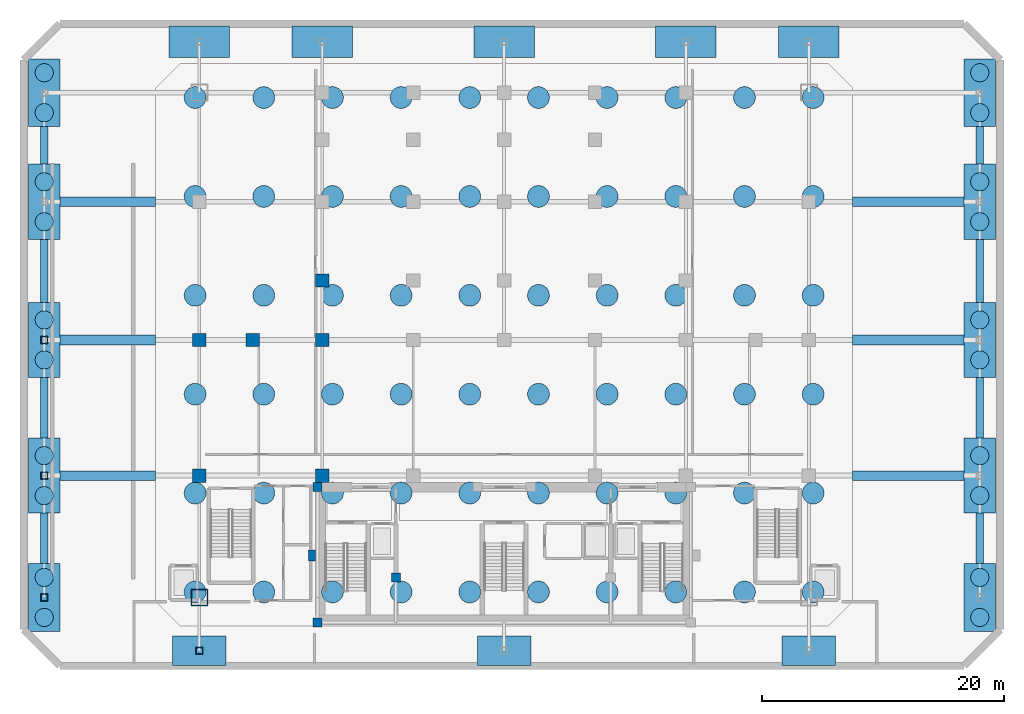
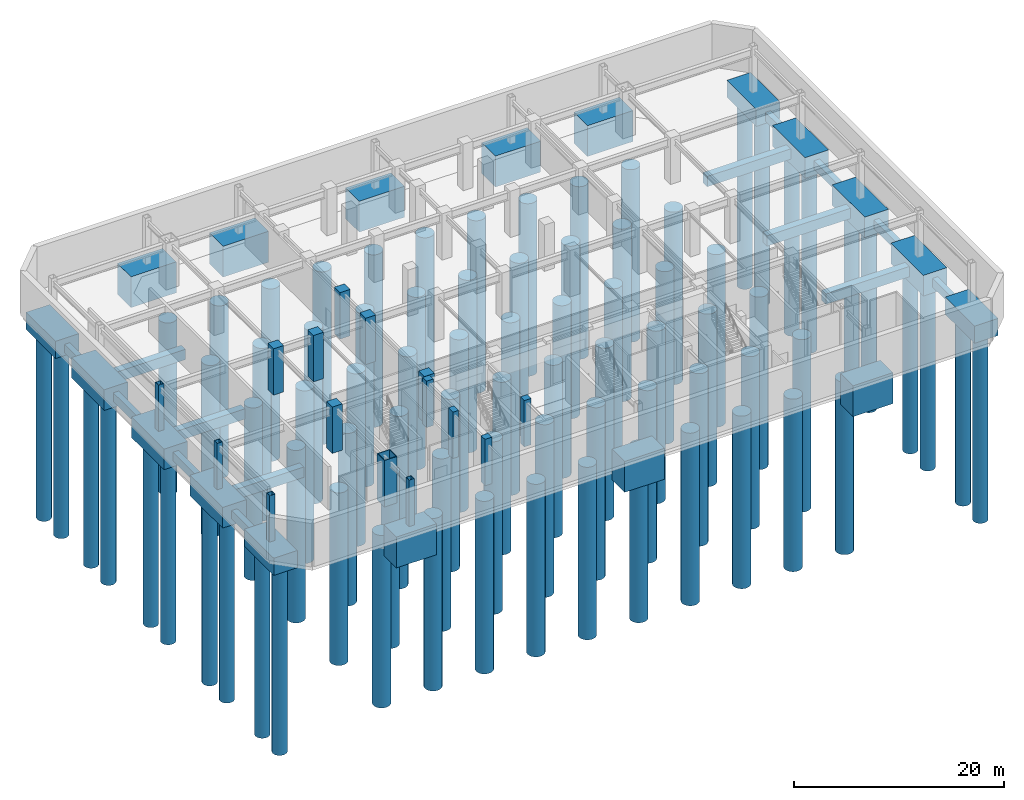
# One storey, part 1 of 10: 80 piles, 32 footings, 15 columns.
"""IFC4 building model written with IfcOpenShell, lengths in metres."""

from ifc_helpers import new_model, si_unit, direction, frame, origin, origin_2d, place, context, subcontext, project, spatial, polyline, rectangle, hollow_rectangle, circle, outline, extrude, material, material_profile, profile_set, type_object, element, save


model = new_model("IFC4")

# Units and contexts
model_context = context("Model", 3, precision=1e-05, world=origin(), true_north=direction((0.0, 1.0)))
body_context = subcontext(model_context, "Body", "Model", "MODEL_VIEW")
ifc_project = project(units=[si_unit("LENGTHUNIT", "METRE"), si_unit("AREAUNIT", "SQUARE_METRE"), si_unit("VOLUMEUNIT", "CUBIC_METRE"), si_unit("PLANEANGLEUNIT", "RADIAN"), si_unit("MASSUNIT", "GRAM", prefix="KILO")], contexts=[model_context])

# Site, building, storey
site_placement = place(None, origin())
site = spatial("IfcSite", under=ifc_project, at=site_placement, CompositionType="ELEMENT")
building_placement = place(site_placement, origin())
building = spatial("IfcBuilding", under=site, at=building_placement, Name="Ventersveld Concourse Tower", CompositionType="ELEMENT")
storey_placement = place(building_placement, frame((0.0, 0.0, -10.800048828125)))
storey = spatial("IfcBuildingStorey", under=building, at=storey_placement, Name="B02", CompositionType="ELEMENT", Elevation=-10.800048828125)

# Footings
ifc_material_1 = material(Name="Concrete C50/60", Category="concrete")
footing_type_1 = type_object("IfcFootingType", Name="FT-CAIS-4400x2600", PredefinedType="CAISSON_FOUNDATION", material=ifc_material_1)
footing_1_placement = place(storey_placement, frame((0.0, 0.0, -3.599853515625)))
element("IfcFooting", 1, at=footing_1_placement, inside=storey, type_object=footing_type_1, Name="Station track caisson foundation CFN-S1", PredefinedType="CAISSON_FOUNDATION", context=body_context, shape_type="SweptSolid", body=[
    extrude(outline(polyline([(1.39990234375, -3.25), (5.800048828125, -3.25), (5.800048828125, -0.85009765625), (1.39990234375, -0.85009765625), (1.39990234375, -3.25)])), origin(), (0.0, 0.0, 1.0), 3.599853515625),
])
footing_2_placement = place(storey_placement, frame((0.0, 0.0, -3.599853515625)))
element("IfcFooting", 2, at=footing_2_placement, inside=storey, type_object=footing_type_1, Name="Station track caisson foundation CFN-S2", PredefinedType="CAISSON_FOUNDATION", context=body_context, shape_type="SweptSolid", body=[
    extrude(outline(polyline([(26.550048828125, -3.25), (30.949951171875, -3.25), (30.949951171875, -0.85009765625), (26.550048828125, -0.85009765625), (26.550048828125, -3.25)])), origin(), (0.0, 0.0, 1.0), 3.599853515625),
])
footing_3_placement = place(storey_placement, frame((0.0, 0.0, -3.599853515625)))
element("IfcFooting", 3, at=footing_3_placement, inside=storey, type_object=footing_type_1, Name="Station track caisson foundation CFN-S3", PredefinedType="CAISSON_FOUNDATION", context=body_context, shape_type="SweptSolid", body=[
    extrude(outline(polyline([(51.699951171875, -3.25), (56.10009765625, -3.25), (56.10009765625, -0.85009765625), (51.699951171875, -0.85009765625), (51.699951171875, -3.25)])), origin(), (0.0, 0.0, 1.0), 3.599853515625),
])
footing_type_2 = type_object("IfcFootingType", Name="FT-CAIS-5000x2800", PredefinedType="CAISSON_FOUNDATION", material=ifc_material_1)
footing_4_placement = place(storey_placement, frame((0.0, 0.0, -3.599853515625)))
element("IfcFooting", 4, at=footing_4_placement, inside=storey, type_object=footing_type_2, Name="Station track caisson foundation CFN-N1", PredefinedType="CAISSON_FOUNDATION", context=body_context, shape_type="SweptSolid", body=[
    extrude(outline(polyline([(1.10009765625, 46.89990234375), (6.10009765625, 46.89990234375), (6.10009765625, 49.5), (1.10009765625, 49.5), (1.10009765625, 46.89990234375)])), origin(), (0.0, 0.0, 1.0), 3.599853515625),
])
footing_5_placement = place(storey_placement, frame((0.0, 0.0, -3.599853515625)))
element("IfcFooting", 5, at=footing_5_placement, inside=storey, type_object=footing_type_2, Name="Station track caisson foundation CFN-N2", PredefinedType="CAISSON_FOUNDATION", context=body_context, shape_type="SweptSolid", body=[
    extrude(outline(polyline([(11.25, 46.89990234375), (16.25, 46.89990234375), (16.25, 49.5), (11.25, 49.5), (11.25, 46.89990234375)])), origin(), (0.0, 0.0, 1.0), 3.599853515625),
])
footing_6_placement = place(storey_placement, frame((0.0, 0.0, -3.599853515625)))
element("IfcFooting", 6, at=footing_6_placement, inside=storey, type_object=footing_type_2, Name="Station track caisson foundation CFN-N3", PredefinedType="CAISSON_FOUNDATION", context=body_context, shape_type="SweptSolid", body=[
    extrude(outline(polyline([(26.25, 46.89990234375), (31.25, 46.89990234375), (31.25, 49.5), (26.25, 49.5), (26.25, 46.89990234375)])), origin(), (0.0, 0.0, 1.0), 3.599853515625),
])
footing_7_placement = place(storey_placement, frame((0.0, 0.0, -3.599853515625)))
element("IfcFooting", 7, at=footing_7_placement, inside=storey, type_object=footing_type_2, Name="Station track caisson foundation CFN-N4", PredefinedType="CAISSON_FOUNDATION", context=body_context, shape_type="SweptSolid", body=[
    extrude(outline(polyline([(41.25, 46.89990234375), (46.25, 46.89990234375), (46.25, 49.5), (41.25, 49.5), (41.25, 46.89990234375)])), origin(), (0.0, 0.0, 1.0), 3.599853515625),
])
footing_8_placement = place(storey_placement, frame((0.0, 0.0, -3.599853515625)))
element("IfcFooting", 8, at=footing_8_placement, inside=storey, type_object=footing_type_2, Name="Station track caisson foundation CFN-N5", PredefinedType="CAISSON_FOUNDATION", context=body_context, shape_type="SweptSolid", body=[
    extrude(outline(polyline([(51.39990234375, 46.89990234375), (56.39990234375, 46.89990234375), (56.39990234375, 49.5), (51.39990234375, 49.5), (51.39990234375, 46.89990234375)])), origin(), (0.0, 0.0, 1.0), 3.599853515625),
])
ifc_material_profile_1 = material_profile(ifc_material_1, rectangle(XDim=0.60009765625, YDim=1.0, at=origin_2d()), Name="GB 600x1000")
ifc_profile_set_1 = profile_set([ifc_material_profile_1], Name="Concrete C50/60")
footing_type_3 = type_object("IfcFootingType", Name="FT-GB-600x1000", PredefinedType="FOOTING_BEAM", material=ifc_profile_set_1)
footing_9_placement = place(storey_placement, frame((-9.199951171875, 5.14990234375, -1.199951171875), z_axis=(0.0, 1.0, 0.0), x_axis=(-1.0, 0.0, 0.0)))
element("IfcFooting", 9, at=footing_9_placement, inside=storey, type_object=footing_type_3, Name="Foundation tie beam FB-01", PredefinedType="FOOTING_BEAM", context=body_context, shape_type="SweptSolid", body=[
    extrude(rectangle(XDim=0.60009765625, YDim=1.0, at=origin_2d()), origin(), (0.0, 0.0, 1.0), 4.150146484375),
])
footing_10_placement = place(storey_placement, frame((-9.199951171875, 15.5, -1.199951171875), z_axis=(0.0, 1.0, 0.0), x_axis=(-1.0, 0.0, 0.0)))
element("IfcFooting", 10, at=footing_10_placement, inside=storey, type_object=footing_type_3, Name="Foundation tie beam FB-02", PredefinedType="FOOTING_BEAM", context=body_context, shape_type="SweptSolid", body=[
    extrude(rectangle(XDim=0.60009765625, YDim=1.0, at=origin_2d()), origin(), (0.0, 0.0, 1.0), 5.0),
])
footing_11_placement = place(storey_placement, frame((-9.199951171875, 26.699951171875, -1.199951171875), z_axis=(0.0, 1.0, 0.0), x_axis=(-1.0, 0.0, 0.0)))
element("IfcFooting", 11, at=footing_11_placement, inside=storey, type_object=footing_type_3, Name="Foundation tie beam FB-03", PredefinedType="FOOTING_BEAM", context=body_context, shape_type="SweptSolid", body=[
    extrude(rectangle(XDim=0.60009765625, YDim=1.0, at=origin_2d()), origin(), (0.0, 0.0, 1.0), 5.199951171875),
])
footing_12_placement = place(storey_placement, frame((-9.199951171875, 38.10009765625, -1.199951171875), z_axis=(0.0, 1.0, 0.0), x_axis=(-1.0, 0.0, 0.0)))
element("IfcFooting", 12, at=footing_12_placement, inside=storey, type_object=footing_type_3, Name="Foundation tie beam FB-04", PredefinedType="FOOTING_BEAM", context=body_context, shape_type="SweptSolid", body=[
    extrude(rectangle(XDim=0.60009765625, YDim=1.0, at=origin_2d()), origin(), (0.0, 0.0, 1.0), 3.099853515625),
])
footing_13_placement = place(storey_placement, frame((68.0, 5.14990234375, -1.199951171875), z_axis=(0.0, 1.0, 0.0), x_axis=(-1.0, 0.0, 0.0)))
element("IfcFooting", 13, at=footing_13_placement, inside=storey, type_object=footing_type_3, Name="Foundation tie beam FB-08", PredefinedType="FOOTING_BEAM", context=body_context, shape_type="SweptSolid", body=[
    extrude(rectangle(XDim=0.60009765625, YDim=1.0, at=origin_2d()), origin(), (0.0, 0.0, 1.0), 4.150146484375),
])
footing_14_placement = place(storey_placement, frame((68.0, 15.5, -1.199951171875), z_axis=(0.0, 1.0, 0.0), x_axis=(-1.0, 0.0, 0.0)))
element("IfcFooting", 14, at=footing_14_placement, inside=storey, type_object=footing_type_3, Name="Foundation tie beam FB-09", PredefinedType="FOOTING_BEAM", context=body_context, shape_type="SweptSolid", body=[
    extrude(rectangle(XDim=0.60009765625, YDim=1.0, at=origin_2d()), origin(), (0.0, 0.0, 1.0), 5.0),
])
footing_15_placement = place(storey_placement, frame((68.0, 26.699951171875, -1.199951171875), z_axis=(0.0, 1.0, 0.0), x_axis=(-1.0, 0.0, 0.0)))
element("IfcFooting", 15, at=footing_15_placement, inside=storey, type_object=footing_type_3, Name="Foundation tie beam FB-10", PredefinedType="FOOTING_BEAM", context=body_context, shape_type="SweptSolid", body=[
    extrude(rectangle(XDim=0.60009765625, YDim=1.0, at=origin_2d()), origin(), (0.0, 0.0, 1.0), 5.199951171875),
])
footing_16_placement = place(storey_placement, frame((68.0, 38.10009765625, -1.199951171875), z_axis=(0.0, 1.0, 0.0), x_axis=(-1.0, 0.0, 0.0)))
element("IfcFooting", 16, at=footing_16_placement, inside=storey, type_object=footing_type_3, Name="Foundation tie beam FB-11", PredefinedType="FOOTING_BEAM", context=body_context, shape_type="SweptSolid", body=[
    extrude(rectangle(XDim=0.60009765625, YDim=1.0, at=origin_2d()), origin(), (0.0, 0.0, 1.0), 3.099853515625),
])
ifc_material_profile_2 = material_profile(ifc_material_1, rectangle(XDim=0.800048828125, YDim=1.199951171875, at=origin_2d()), Name="GB 800x1200")
ifc_profile_set_2 = profile_set([ifc_material_profile_2], Name="Concrete C50/60")
footing_type_4 = type_object("IfcFootingType", Name="FT-GB-800x1200", PredefinedType="FOOTING_BEAM", material=ifc_profile_set_2)
for number, where, z_axis, x_axis, name in (
    (17, (-7.89990234375, 12.39990234375, -1.199951171875), (1.0, 0.0, 0.0), (0.0, 1.0, 0.0), "Foundation tie beam FB-05"),
    (18, (-7.89990234375, 23.60009765625, -1.199951171875), (1.0, 0.0, 0.0), (0.0, 1.0, 0.0), "Foundation tie beam FB-06"),
    (19, (-7.89990234375, 35.0, -1.199951171875), (1.0, 0.0, 0.0), (0.0, 1.0, 0.0), "Foundation tie beam FB-07"),
):
    element("IfcFooting", number, at=place(storey_placement, frame(where, z_axis=z_axis, x_axis=x_axis)), inside=storey, type_object=footing_type_4, Name=name, PredefinedType="FOOTING_BEAM", context=body_context, shape_type="SweptSolid", body=[
        extrude(rectangle(XDim=0.800048828125, YDim=1.199951171875, at=origin_2d()), origin(), (0.0, 0.0, 1.0), 7.89990234375),
    ])
for number, where, z_axis, x_axis, name in (
    (20, (57.5, 12.39990234375, -1.199951171875), (1.0, 0.0, 0.0), (0.0, 1.0, 0.0), "Foundation tie beam FB-12"),
    (21, (57.5, 23.60009765625, -1.199951171875), (1.0, 0.0, 0.0), (0.0, 1.0, 0.0), "Foundation tie beam FB-13"),
    (22, (57.5, 35.0, -1.199951171875), (1.0, 0.0, 0.0), (0.0, 1.0, 0.0), "Foundation tie beam FB-14"),
):
    element("IfcFooting", number, at=place(storey_placement, frame(where, z_axis=z_axis, x_axis=x_axis)), inside=storey, type_object=footing_type_4, Name=name, PredefinedType="FOOTING_BEAM", context=body_context, shape_type="SweptSolid", body=[
        extrude(rectangle(XDim=0.800048828125, YDim=1.199951171875, at=origin_2d()), origin(), (0.0, 0.0, 1.0), 9.199951171875),
    ])
footing_type_5 = type_object("IfcFootingType", Name="FT-PC-5600x2600", PredefinedType="PILE_CAP", material=ifc_material_1)
footing_17_placement = place(storey_placement, frame((0.0, 0.0, -2.0)))
element("IfcFooting", 23, at=footing_17_placement, inside=storey, type_object=footing_type_5, Name="Podium pile cap PC-W1", PredefinedType="PILE_CAP", context=body_context, shape_type="SweptSolid", body=[
    extrude(outline(polyline([(-10.5, -0.449951171875), (-7.89990234375, -0.449951171875), (-7.89990234375, 5.14990234375), (-10.5, 5.14990234375), (-10.5, -0.449951171875)])), origin(), (0.0, 0.0, 1.0), 2.0),
])
footing_18_placement = place(storey_placement, frame((0.0, 0.0, -2.0)))
element("IfcFooting", 24, at=footing_18_placement, inside=storey, type_object=footing_type_5, Name="Podium pile cap PC-W5", PredefinedType="PILE_CAP", context=body_context, shape_type="SweptSolid", body=[
    extrude(outline(polyline([(-10.5, 41.199951171875), (-7.89990234375, 41.199951171875), (-7.89990234375, 46.800048828125), (-10.5, 46.800048828125), (-10.5, 41.199951171875)])), origin(), (0.0, 0.0, 1.0), 2.0),
])
footing_19_placement = place(storey_placement, frame((0.0, 0.0, -2.0)))
element("IfcFooting", 25, at=footing_19_placement, inside=storey, type_object=footing_type_5, Name="Podium pile cap PC-E1", PredefinedType="PILE_CAP", context=body_context, shape_type="SweptSolid", body=[
    extrude(outline(polyline([(66.699951171875, -0.449951171875), (69.300048828125, -0.449951171875), (69.300048828125, 5.14990234375), (66.699951171875, 5.14990234375), (66.699951171875, -0.449951171875)])), origin(), (0.0, 0.0, 1.0), 2.0),
])
footing_20_placement = place(storey_placement, frame((0.0, 0.0, -2.0)))
element("IfcFooting", 26, at=footing_20_placement, inside=storey, type_object=footing_type_5, Name="Podium pile cap PC-E5", PredefinedType="PILE_CAP", context=body_context, shape_type="SweptSolid", body=[
    extrude(outline(polyline([(66.699951171875, 41.199951171875), (69.300048828125, 41.199951171875), (69.300048828125, 46.800048828125), (66.699951171875, 46.800048828125), (66.699951171875, 41.199951171875)])), origin(), (0.0, 0.0, 1.0), 2.0),
])
footing_type_6 = type_object("IfcFootingType", Name="FT-PC-6200x2600", PredefinedType="PILE_CAP", material=ifc_material_1)
footing_21_placement = place(storey_placement, frame((0.0, 0.0, -2.39990234375)))
element("IfcFooting", 27, at=footing_21_placement, inside=storey, type_object=footing_type_6, Name="Podium pile cap PC-W2", PredefinedType="PILE_CAP", context=body_context, shape_type="SweptSolid", body=[
    extrude(outline(polyline([(-10.5, 9.300048828125), (-7.89990234375, 9.300048828125), (-7.89990234375, 15.5), (-10.5, 15.5), (-10.5, 9.300048828125)])), origin(), (0.0, 0.0, 1.0), 2.39990234375),
])
footing_22_placement = place(storey_placement, frame((0.0, 0.0, -2.39990234375)))
element("IfcFooting", 28, at=footing_22_placement, inside=storey, type_object=footing_type_6, Name="Podium pile cap PC-W3", PredefinedType="PILE_CAP", context=body_context, shape_type="SweptSolid", body=[
    extrude(outline(polyline([(-10.5, 20.5), (-7.89990234375, 20.5), (-7.89990234375, 26.699951171875), (-10.5, 26.699951171875), (-10.5, 20.5)])), origin(), (0.0, 0.0, 1.0), 2.39990234375),
])
footing_23_placement = place(storey_placement, frame((0.0, 0.0, -2.39990234375)))
element("IfcFooting", 29, at=footing_23_placement, inside=storey, type_object=footing_type_6, Name="Podium pile cap PC-W4", PredefinedType="PILE_CAP", context=body_context, shape_type="SweptSolid", body=[
    extrude(outline(polyline([(-10.5, 31.89990234375), (-7.89990234375, 31.89990234375), (-7.89990234375, 38.10009765625), (-10.5, 38.10009765625), (-10.5, 31.89990234375)])), origin(), (0.0, 0.0, 1.0), 2.39990234375),
])
footing_24_placement = place(storey_placement, frame((0.0, 0.0, -2.39990234375)))
element("IfcFooting", 30, at=footing_24_placement, inside=storey, type_object=footing_type_6, Name="Podium pile cap PC-E2", PredefinedType="PILE_CAP", context=body_context, shape_type="SweptSolid", body=[
    extrude(outline(polyline([(66.699951171875, 9.300048828125), (69.300048828125, 9.300048828125), (69.300048828125, 15.5), (66.699951171875, 15.5), (66.699951171875, 9.300048828125)])), origin(), (0.0, 0.0, 1.0), 2.39990234375),
])
footing_25_placement = place(storey_placement, frame((0.0, 0.0, -2.39990234375)))
element("IfcFooting", 31, at=footing_25_placement, inside=storey, type_object=footing_type_6, Name="Podium pile cap PC-E3", PredefinedType="PILE_CAP", context=body_context, shape_type="SweptSolid", body=[
    extrude(outline(polyline([(66.699951171875, 20.5), (69.300048828125, 20.5), (69.300048828125, 26.699951171875), (66.699951171875, 26.699951171875), (66.699951171875, 20.5)])), origin(), (0.0, 0.0, 1.0), 2.39990234375),
])
footing_26_placement = place(storey_placement, frame((0.0, 0.0, -2.39990234375)))
element("IfcFooting", 32, at=footing_26_placement, inside=storey, type_object=footing_type_6, Name="Podium pile cap PC-E4", PredefinedType="PILE_CAP", context=body_context, shape_type="SweptSolid", body=[
    extrude(outline(polyline([(66.699951171875, 31.89990234375), (69.300048828125, 31.89990234375), (69.300048828125, 38.10009765625), (66.699951171875, 38.10009765625), (66.699951171875, 31.89990234375)])), origin(), (0.0, 0.0, 1.0), 2.39990234375),
])

# Piles
ifc_material_profile_3 = material_profile(ifc_material_1, circle(Radius=0.75, at=origin_2d()), Name="PILE D1500")
ifc_profile_set_3 = profile_set([ifc_material_profile_3], Name="Concrete C50/60")
pile_type_1 = type_object("IfcPileType", Name="PILE-D1500", PredefinedType="BORED", material=ifc_profile_set_3)
for number, where, z_axis, x_axis, name in (
    (33, (-9.199951171875, 0.699951171875, -1.89990234375), (0.0, 0.0, -1.0), (1.0, 0.0, 0.0), "Podium bored pile P2-001"),
    (34, (-9.199951171875, 4.0, -1.89990234375), (0.0, 0.0, -1.0), (1.0, 0.0, 0.0), "Podium bored pile P2-002"),
):
    element("IfcPile", number, at=place(storey_placement, frame(where, z_axis=z_axis, x_axis=x_axis)), inside=storey, type_object=pile_type_1, Name=name, PredefinedType="BORED", context=body_context, shape_type="SweptSolid", body=[
        extrude(circle(Radius=0.75, at=origin_2d()), origin(), (0.0, 0.0, 1.0), 21.699951171875),
    ])
for number, where, z_axis, x_axis, name in (
    (35, (-9.199951171875, 10.75, -2.300048828125), (0.0, 0.0, -1.0), (1.0, 0.0, 0.0), "Podium bored pile P2-003"),
    (36, (-9.199951171875, 14.050048828125, -2.300048828125), (0.0, 0.0, -1.0), (1.0, 0.0, 0.0), "Podium bored pile P2-004"),
    (37, (-9.199951171875, 21.949951171875, -2.300048828125), (0.0, 0.0, -1.0), (1.0, 0.0, 0.0), "Podium bored pile P2-005"),
    (38, (-9.199951171875, 25.25, -2.300048828125), (0.0, 0.0, -1.0), (1.0, 0.0, 0.0), "Podium bored pile P2-006"),
    (39, (-9.199951171875, 33.35009765625, -2.300048828125), (0.0, 0.0, -1.0), (1.0, 0.0, 0.0), "Podium bored pile P2-007"),
    (40, (-9.199951171875, 36.64990234375, -2.300048828125), (0.0, 0.0, -1.0), (1.0, 0.0, 0.0), "Podium bored pile P2-008"),
):
    element("IfcPile", number, at=place(storey_placement, frame(where, z_axis=z_axis, x_axis=x_axis)), inside=storey, type_object=pile_type_1, Name=name, PredefinedType="BORED", context=body_context, shape_type="SweptSolid", body=[
        extrude(circle(Radius=0.75, at=origin_2d()), origin(), (0.0, 0.0, 1.0), 21.300048828125),
    ])
for number, where, z_axis, x_axis, name in (
    (41, (-9.199951171875, 42.35009765625, -1.89990234375), (0.0, 0.0, -1.0), (1.0, 0.0, 0.0), "Podium bored pile P2-009"),
    (42, (-9.199951171875, 45.64990234375, -1.89990234375), (0.0, 0.0, -1.0), (1.0, 0.0, 0.0), "Podium bored pile P2-010"),
    (43, (68.0, 0.699951171875, -1.89990234375), (0.0, 0.0, -1.0), (1.0, 0.0, 0.0), "Podium bored pile P2-011"),
    (44, (68.0, 4.0, -1.89990234375), (0.0, 0.0, -1.0), (1.0, 0.0, 0.0), "Podium bored pile P2-012"),
):
    element("IfcPile", number, at=place(storey_placement, frame(where, z_axis=z_axis, x_axis=x_axis)), inside=storey, type_object=pile_type_1, Name=name, PredefinedType="BORED", context=body_context, shape_type="SweptSolid", body=[
        extrude(circle(Radius=0.75, at=origin_2d()), origin(), (0.0, 0.0, 1.0), 21.699951171875),
    ])
for number, where, z_axis, x_axis, name in (
    (45, (68.0, 10.75, -2.300048828125), (0.0, 0.0, -1.0), (1.0, 0.0, 0.0), "Podium bored pile P2-013"),
    (46, (68.0, 14.050048828125, -2.300048828125), (0.0, 0.0, -1.0), (1.0, 0.0, 0.0), "Podium bored pile P2-014"),
    (47, (68.0, 21.949951171875, -2.300048828125), (0.0, 0.0, -1.0), (1.0, 0.0, 0.0), "Podium bored pile P2-015"),
    (48, (68.0, 25.25, -2.300048828125), (0.0, 0.0, -1.0), (1.0, 0.0, 0.0), "Podium bored pile P2-016"),
    (49, (68.0, 33.35009765625, -2.300048828125), (0.0, 0.0, -1.0), (1.0, 0.0, 0.0), "Podium bored pile P2-017"),
    (50, (68.0, 36.64990234375, -2.300048828125), (0.0, 0.0, -1.0), (1.0, 0.0, 0.0), "Podium bored pile P2-018"),
):
    element("IfcPile", number, at=place(storey_placement, frame(where, z_axis=z_axis, x_axis=x_axis)), inside=storey, type_object=pile_type_1, Name=name, PredefinedType="BORED", context=body_context, shape_type="SweptSolid", body=[
        extrude(circle(Radius=0.75, at=origin_2d()), origin(), (0.0, 0.0, 1.0), 21.300048828125),
    ])
for number, where, z_axis, x_axis, name in (
    (51, (68.0, 42.35009765625, -1.89990234375), (0.0, 0.0, -1.0), (1.0, 0.0, 0.0), "Podium bored pile P2-019"),
    (52, (68.0, 45.64990234375, -1.89990234375), (0.0, 0.0, -1.0), (1.0, 0.0, 0.0), "Podium bored pile P2-020"),
):
    element("IfcPile", number, at=place(storey_placement, frame(where, z_axis=z_axis, x_axis=x_axis)), inside=storey, type_object=pile_type_1, Name=name, PredefinedType="BORED", context=body_context, shape_type="SweptSolid", body=[
        extrude(circle(Radius=0.75, at=origin_2d()), origin(), (0.0, 0.0, 1.0), 21.699951171875),
    ])
ifc_material_profile_4 = material_profile(ifc_material_1, circle(Radius=0.89990234375, at=origin_2d()), Name="PILE D1800")
ifc_profile_set_4 = profile_set([ifc_material_profile_4], Name="Concrete C50/60")
pile_type_2 = type_object("IfcPileType", Name="PILE-D1800", PredefinedType="BORED", material=ifc_profile_set_4)
for number, where, z_axis, x_axis, name in (
    (53, (3.25, 2.800048828125, -3.5), (0.0, 0.0, -1.0), (1.0, 0.0, 0.0), "Rock-socketed bored pile P1-001"),
    (54, (8.916748046875, 2.800048828125, -3.5), (0.0, 0.0, -1.0), (1.0, 0.0, 0.0), "Rock-socketed bored pile P1-002"),
    (55, (14.58349609375, 2.800048828125, -3.5), (0.0, 0.0, -1.0), (1.0, 0.0, 0.0), "Rock-socketed bored pile P1-003"),
    (56, (20.25, 2.800048828125, -3.5), (0.0, 0.0, -1.0), (1.0, 0.0, 0.0), "Rock-socketed bored pile P1-004"),
    (57, (25.916748046875, 2.800048828125, -3.5), (0.0, 0.0, -1.0), (1.0, 0.0, 0.0), "Rock-socketed bored pile P1-005"),
    (58, (31.58349609375, 2.800048828125, -3.5), (0.0, 0.0, -1.0), (1.0, 0.0, 0.0), "Rock-socketed bored pile P1-006"),
    (59, (37.250244140625, 2.800048828125, -3.5), (0.0, 0.0, -1.0), (1.0, 0.0, 0.0), "Rock-socketed bored pile P1-007"),
    (60, (42.9169921875, 2.800048828125, -3.5), (0.0, 0.0, -1.0), (1.0, 0.0, 0.0), "Rock-socketed bored pile P1-008"),
    (61, (48.58349609375, 2.800048828125, -3.5), (0.0, 0.0, -1.0), (1.0, 0.0, 0.0), "Rock-socketed bored pile P1-009"),
    (62, (54.250244140625, 2.800048828125, -3.5), (0.0, 0.0, -1.0), (1.0, 0.0, 0.0), "Rock-socketed bored pile P1-010"),
    (63, (3.25, 10.9599609375, -3.5), (0.0, 0.0, -1.0), (1.0, 0.0, 0.0), "Rock-socketed bored pile P1-011"),
    (64, (8.916748046875, 10.9599609375, -3.5), (0.0, 0.0, -1.0), (1.0, 0.0, 0.0), "Rock-socketed bored pile P1-012"),
    (65, (14.58349609375, 10.9599609375, -3.5), (0.0, 0.0, -1.0), (1.0, 0.0, 0.0), "Rock-socketed bored pile P1-013"),
    (66, (20.25, 10.9599609375, -3.5), (0.0, 0.0, -1.0), (1.0, 0.0, 0.0), "Rock-socketed bored pile P1-014"),
    (67, (25.916748046875, 10.9599609375, -3.5), (0.0, 0.0, -1.0), (1.0, 0.0, 0.0), "Rock-socketed bored pile P1-015"),
    (68, (31.58349609375, 10.9599609375, -3.5), (0.0, 0.0, -1.0), (1.0, 0.0, 0.0), "Rock-socketed bored pile P1-016"),
    (69, (37.250244140625, 10.9599609375, -3.5), (0.0, 0.0, -1.0), (1.0, 0.0, 0.0), "Rock-socketed bored pile P1-017"),
    (70, (42.9169921875, 10.9599609375, -3.5), (0.0, 0.0, -1.0), (1.0, 0.0, 0.0), "Rock-socketed bored pile P1-018"),
    (71, (48.58349609375, 10.9599609375, -3.5), (0.0, 0.0, -1.0), (1.0, 0.0, 0.0), "Rock-socketed bored pile P1-019"),
    (72, (54.250244140625, 10.9599609375, -3.5), (0.0, 0.0, -1.0), (1.0, 0.0, 0.0), "Rock-socketed bored pile P1-020"),
    (73, (3.25, 19.1201171875, -3.5), (0.0, 0.0, -1.0), (1.0, 0.0, 0.0), "Rock-socketed bored pile P1-021"),
    (74, (8.916748046875, 19.1201171875, -3.5), (0.0, 0.0, -1.0), (1.0, 0.0, 0.0), "Rock-socketed bored pile P1-022"),
    (75, (14.58349609375, 19.1201171875, -3.5), (0.0, 0.0, -1.0), (1.0, 0.0, 0.0), "Rock-socketed bored pile P1-023"),
    (76, (20.25, 19.1201171875, -3.5), (0.0, 0.0, -1.0), (1.0, 0.0, 0.0), "Rock-socketed bored pile P1-024"),
    (77, (25.916748046875, 19.1201171875, -3.5), (0.0, 0.0, -1.0), (1.0, 0.0, 0.0), "Rock-socketed bored pile P1-025"),
    (78, (31.58349609375, 19.1201171875, -3.5), (0.0, 0.0, -1.0), (1.0, 0.0, 0.0), "Rock-socketed bored pile P1-026"),
    (79, (37.250244140625, 19.1201171875, -3.5), (0.0, 0.0, -1.0), (1.0, 0.0, 0.0), "Rock-socketed bored pile P1-027"),
    (80, (42.9169921875, 19.1201171875, -3.5), (0.0, 0.0, -1.0), (1.0, 0.0, 0.0), "Rock-socketed bored pile P1-028"),
    (81, (48.58349609375, 19.1201171875, -3.5), (0.0, 0.0, -1.0), (1.0, 0.0, 0.0), "Rock-socketed bored pile P1-029"),
    (82, (54.250244140625, 19.1201171875, -3.5), (0.0, 0.0, -1.0), (1.0, 0.0, 0.0), "Rock-socketed bored pile P1-030"),
    (83, (3.25, 27.280029296875, -3.5), (0.0, 0.0, -1.0), (1.0, 0.0, 0.0), "Rock-socketed bored pile P1-031"),
    (84, (8.916748046875, 27.280029296875, -3.5), (0.0, 0.0, -1.0), (1.0, 0.0, 0.0), "Rock-socketed bored pile P1-032"),
    (85, (14.58349609375, 27.280029296875, -3.5), (0.0, 0.0, -1.0), (1.0, 0.0, 0.0), "Rock-socketed bored pile P1-033"),
    (86, (20.25, 27.280029296875, -3.5), (0.0, 0.0, -1.0), (1.0, 0.0, 0.0), "Rock-socketed bored pile P1-034"),
    (87, (25.916748046875, 27.280029296875, -3.5), (0.0, 0.0, -1.0), (1.0, 0.0, 0.0), "Rock-socketed bored pile P1-035"),
    (88, (31.58349609375, 27.280029296875, -3.5), (0.0, 0.0, -1.0), (1.0, 0.0, 0.0), "Rock-socketed bored pile P1-036"),
    (89, (37.250244140625, 27.280029296875, -3.5), (0.0, 0.0, -1.0), (1.0, 0.0, 0.0), "Rock-socketed bored pile P1-037"),
    (90, (42.9169921875, 27.280029296875, -3.5), (0.0, 0.0, -1.0), (1.0, 0.0, 0.0), "Rock-socketed bored pile P1-038"),
    (91, (48.58349609375, 27.280029296875, -3.5), (0.0, 0.0, -1.0), (1.0, 0.0, 0.0), "Rock-socketed bored pile P1-039"),
    (92, (54.250244140625, 27.280029296875, -3.5), (0.0, 0.0, -1.0), (1.0, 0.0, 0.0), "Rock-socketed bored pile P1-040"),
    (93, (3.25, 35.43994140625, -3.5), (0.0, 0.0, -1.0), (1.0, 0.0, 0.0), "Rock-socketed bored pile P1-041"),
    (94, (8.916748046875, 35.43994140625, -3.5), (0.0, 0.0, -1.0), (1.0, 0.0, 0.0), "Rock-socketed bored pile P1-042"),
    (95, (14.58349609375, 35.43994140625, -3.5), (0.0, 0.0, -1.0), (1.0, 0.0, 0.0), "Rock-socketed bored pile P1-043"),
    (96, (20.25, 35.43994140625, -3.5), (0.0, 0.0, -1.0), (1.0, 0.0, 0.0), "Rock-socketed bored pile P1-044"),
    (97, (25.916748046875, 35.43994140625, -3.5), (0.0, 0.0, -1.0), (1.0, 0.0, 0.0), "Rock-socketed bored pile P1-045"),
    (98, (31.58349609375, 35.43994140625, -3.5), (0.0, 0.0, -1.0), (1.0, 0.0, 0.0), "Rock-socketed bored pile P1-046"),
    (99, (37.250244140625, 35.43994140625, -3.5), (0.0, 0.0, -1.0), (1.0, 0.0, 0.0), "Rock-socketed bored pile P1-047"),
    (100, (42.9169921875, 35.43994140625, -3.5), (0.0, 0.0, -1.0), (1.0, 0.0, 0.0), "Rock-socketed bored pile P1-048"),
    (101, (48.58349609375, 35.43994140625, -3.5), (0.0, 0.0, -1.0), (1.0, 0.0, 0.0), "Rock-socketed bored pile P1-049"),
    (102, (54.250244140625, 35.43994140625, -3.5), (0.0, 0.0, -1.0), (1.0, 0.0, 0.0), "Rock-socketed bored pile P1-050"),
    (103, (3.25, 43.60009765625, -3.5), (0.0, 0.0, -1.0), (1.0, 0.0, 0.0), "Rock-socketed bored pile P1-051"),
    (104, (8.916748046875, 43.60009765625, -3.5), (0.0, 0.0, -1.0), (1.0, 0.0, 0.0), "Rock-socketed bored pile P1-052"),
    (105, (14.58349609375, 43.60009765625, -3.5), (0.0, 0.0, -1.0), (1.0, 0.0, 0.0), "Rock-socketed bored pile P1-053"),
    (106, (20.25, 43.60009765625, -3.5), (0.0, 0.0, -1.0), (1.0, 0.0, 0.0), "Rock-socketed bored pile P1-054"),
    (107, (25.916748046875, 43.60009765625, -3.5), (0.0, 0.0, -1.0), (1.0, 0.0, 0.0), "Rock-socketed bored pile P1-055"),
    (108, (31.58349609375, 43.60009765625, -3.5), (0.0, 0.0, -1.0), (1.0, 0.0, 0.0), "Rock-socketed bored pile P1-056"),
    (109, (37.250244140625, 43.60009765625, -3.5), (0.0, 0.0, -1.0), (1.0, 0.0, 0.0), "Rock-socketed bored pile P1-057"),
    (110, (42.9169921875, 43.60009765625, -3.5), (0.0, 0.0, -1.0), (1.0, 0.0, 0.0), "Rock-socketed bored pile P1-058"),
    (111, (48.58349609375, 43.60009765625, -3.5), (0.0, 0.0, -1.0), (1.0, 0.0, 0.0), "Rock-socketed bored pile P1-059"),
    (112, (54.250244140625, 43.60009765625, -3.5), (0.0, 0.0, -1.0), (1.0, 0.0, 0.0), "Rock-socketed bored pile P1-060"),
):
    element("IfcPile", number, at=place(storey_placement, frame(where, z_axis=z_axis, x_axis=x_axis)), inside=storey, type_object=pile_type_2, Name=name, PredefinedType="BORED", context=body_context, shape_type="SweptSolid", body=[
        extrude(circle(Radius=0.89990234375, at=origin_2d()), origin(), (0.0, 0.0, 1.0), 20.10009765625),
    ])

# Columns
ifc_material_2 = material(Name="Structural steel S355ML", Category="steel")
ifc_material_profile_5 = material_profile(ifc_material_2, hollow_rectangle(XDim=0.60009765625, YDim=0.60009765625, WallThickness=0.0400390625, at=origin_2d()), Name="BOX 600x600x40")
ifc_profile_set_5 = profile_set([ifc_material_profile_5], Name="Structural steel S355ML")
column_type_1 = type_object("IfcColumnType", Name="COL-BOX600", PredefinedType="COLUMN", material=ifc_profile_set_5)
for number, where, z_axis, x_axis, name in (
    (113, (-9.199951171875, 2.35009765625, 0.0), (0.0, 0.0, 1.0), (1.0, 0.0, 0.0), "B02 Podium Perimeter Column 01"),
    (114, (-9.199951171875, 12.39990234375, 0.0), (0.0, 0.0, 1.0), (1.0, 0.0, 0.0), "B02 Podium Perimeter Column 02"),
    (115, (-9.199951171875, 23.60009765625, 0.0), (0.0, 0.0, 1.0), (1.0, 0.0, 0.0), "B02 Podium Perimeter Column 03"),
    (116, (3.60009765625, -2.050048828125, 0.0), (0.0, 0.0, 1.0), (1.0, 0.0, 0.0), "B02 Podium Perimeter Column 16"),
):
    element("IfcColumn", number, at=place(storey_placement, frame(where, z_axis=z_axis, x_axis=x_axis)), inside=storey, type_object=column_type_1, Name=name, PredefinedType="COLUMN", context=body_context, shape_type="SweptSolid", body=[
        extrude(hollow_rectangle(XDim=0.60009765625, YDim=0.60009765625, WallThickness=0.0400390625, at=origin_2d()), origin(), (0.0, 0.0, 1.0), 5.400146484375),
    ])
ifc_material_3 = material(Name="Concrete C60/75", Category="concrete")
ifc_material_profile_6 = material_profile(ifc_material_3, rectangle(XDim=1.10009765625, YDim=1.10009765625, at=origin_2d()), Name="RC 1100x1100")
ifc_profile_set_6 = profile_set([ifc_material_profile_6], Name="Concrete C60/75")
column_type_2 = type_object("IfcColumnType", Name="COL-RC1100", PredefinedType="COLUMN", material=ifc_profile_set_6)
for number, where, z_axis, x_axis, name in (
    (117, (3.60009765625, 12.39990234375, 0.0), (0.0, 0.0, 1.0), (1.0, 0.0, 0.0), "B02 Station Grid Column G1B-C"),
    (118, (3.60009765625, 23.60009765625, 0.0), (0.0, 0.0, 1.0), (1.0, 0.0, 0.0), "B02 Station Grid Column G1B-D"),
    (119, (13.75, 12.39990234375, 0.0), (0.0, 0.0, 1.0), (1.0, 0.0, 0.0), "B02 Station Grid Column G3-C"),
    (120, (13.75, 23.60009765625, 0.0), (0.0, 0.0, 1.0), (1.0, 0.0, 0.0), "B02 Station Grid Column G3-D"),
    (121, (8.0, 23.60009765625, 0.0), (0.0, 0.0, 1.0), (1.0, 0.0, 0.0), "B02 Station Tower-Line Column G2D"),
    (122, (13.75, 28.5, 0.0), (0.0, 0.0, 1.0), (1.0, 0.0, 0.0), "B02 Station Tower-Line Column G3DN"),
):
    element("IfcColumn", number, at=place(storey_placement, frame(where, z_axis=z_axis, x_axis=x_axis)), inside=storey, type_object=column_type_2, Name=name, PredefinedType="COLUMN", context=body_context, shape_type="SweptSolid", body=[
        extrude(rectangle(XDim=1.10009765625, YDim=1.10009765625, at=origin_2d()), origin(), (0.0, 0.0, 1.0), 5.400146484375),
    ])
ifc_material_profile_7 = material_profile(ifc_material_1, rectangle(XDim=0.75, YDim=0.75, at=origin_2d()), Name="RC 750x750")
ifc_profile_set_7 = profile_set([ifc_material_profile_7], Name="Concrete C50/60")
column_type_3 = type_object("IfcColumnType", Name="COL-RC750", PredefinedType="COLUMN", material=ifc_profile_set_7)
for number, where, z_axis, x_axis, name in (
    (123, (13.35009765625, 0.280029296875, 0.0), (0.0, 0.0, 1.0), (1.0, 0.0, 0.0), "B02 Core Spine Column CC-SW"),
    (124, (13.35009765625, 11.449951171875, 0.0), (0.0, 0.0, 1.0), (1.0, 0.0, 0.0), "B02 Core Spine Column CC-NW"),
    (125, (19.820068359375, 4.0, 0.0), (0.0, 0.0, 1.0), (1.0, 0.0, 0.0), "B02 Core Spine Column CM-1"),
):
    element("IfcColumn", number, at=place(storey_placement, frame(where, z_axis=z_axis, x_axis=x_axis)), inside=storey, type_object=column_type_3, Name=name, PredefinedType="COLUMN", context=body_context, shape_type="SweptSolid", body=[
        extrude(rectangle(XDim=0.75, YDim=0.75, at=origin_2d()), origin(), (0.0, 0.0, 1.0), 5.400146484375),
    ])
ifc_material_4 = material(Name="Structural steel S460ML", Category="steel")
ifc_material_profile_8 = material_profile(ifc_material_4, hollow_rectangle(XDim=1.39990234375, YDim=1.39990234375, WallThickness=0.080078125, at=origin_2d()), Name="BOX 1400x1400x80")
ifc_profile_set_8 = profile_set([ifc_material_profile_8], Name="Structural steel S460ML")
column_type_4 = type_object("IfcColumnType", Name="MC-1400", PredefinedType="USERDEFINED", material=ifc_profile_set_8)
column_1_placement = place(storey_placement, frame((3.60009765625, 2.35009765625, 0.0), z_axis=(0.0, 0.0, 1.0), x_axis=(1.0, 0.0, 0.0)))
element("IfcColumn", 126, at=column_1_placement, inside=storey, type_object=column_type_4, Name="B02 Corner Mega-Column MC-SW", ObjectType="MEGA_COLUMN", PredefinedType="USERDEFINED", context=body_context, shape_type="SweptSolid", body=[
    extrude(hollow_rectangle(XDim=1.39990234375, YDim=1.39990234375, WallThickness=0.080078125, at=origin_2d()), origin(), (0.0, 0.0, 1.0), 5.400146484375),
])
ifc_material_profile_9 = material_profile(ifc_material_3, rectangle(XDim=0.60009765625, YDim=0.89990234375, at=origin_2d()), Name="RC 600x900")
ifc_profile_set_9 = profile_set([ifc_material_profile_9], Name="Concrete C60/75")
column_type_5 = type_object("IfcColumnType", Name="PIL-RC600x900", PredefinedType="PILASTER", material=ifc_profile_set_9)
column_2_placement = place(storey_placement, frame((12.89990234375, 5.800048828125, 0.0), z_axis=(0.0, 0.0, 1.0), x_axis=(1.0, 0.0, 0.0)))
element("IfcColumn", 127, at=column_2_placement, inside=storey, type_object=column_type_5, Name="B02 Core Engaged Pilaster PIL-W", PredefinedType="PILASTER", context=body_context, shape_type="SweptSolid", body=[
    extrude(rectangle(XDim=0.60009765625, YDim=0.89990234375, at=origin_2d()), origin(), (0.0, 0.0, 1.0), 5.400146484375),
])

save(model, "model.ifc")
